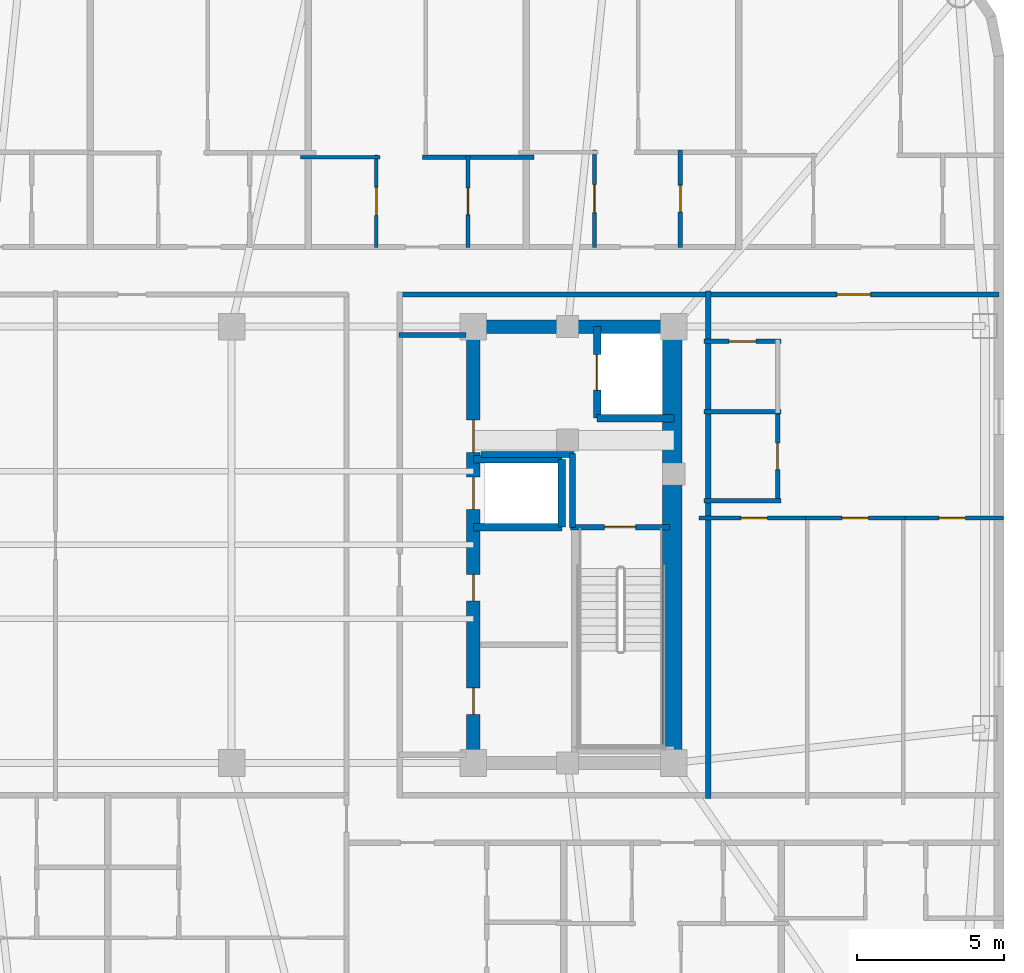
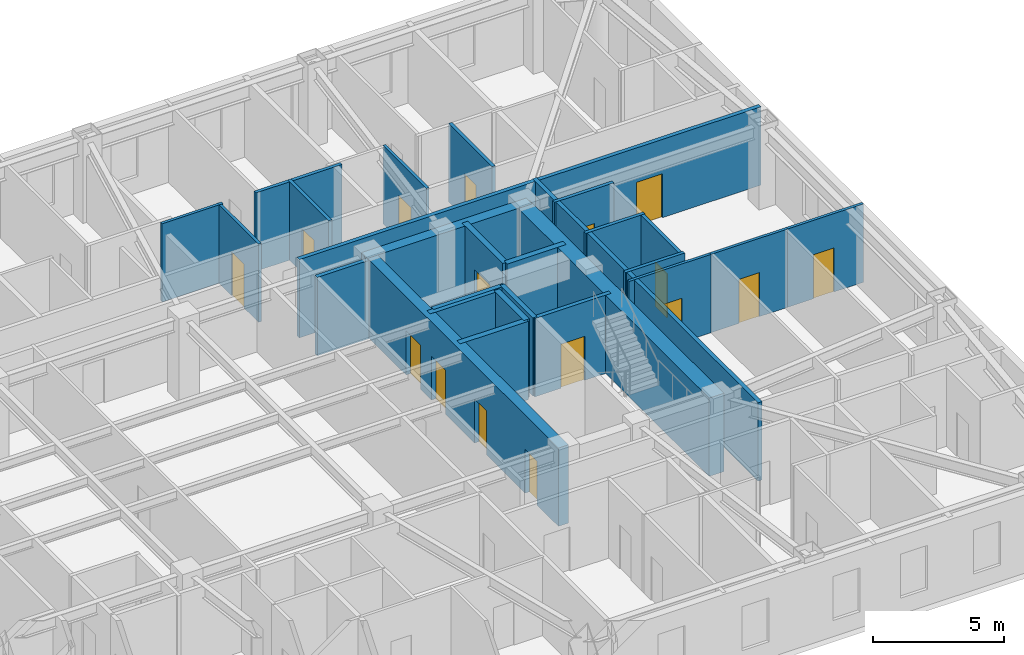
# One storey, part 7 of 11: 27 walls, 16 doors, 16 openings.
"""IFC4 building model written with IfcOpenShell, lengths in metres."""

from ifc_helpers import new_model, si_unit, direction, frame, frame_2d, origin, place, context, subcontext, project, spatial, rectangle, extrude, material, layer, layer_set, type_object, element, fill, save


model = new_model("IFC4")

# Units and contexts
model_context = context("Model", 3, precision=1e-05, world=origin(), true_north=direction((0.0, 1.0)))
body_context = subcontext(model_context, "Body", "Model", "MODEL_VIEW")
ifc_project = project(units=[si_unit("LENGTHUNIT", "METRE"), si_unit("AREAUNIT", "SQUARE_METRE"), si_unit("VOLUMEUNIT", "CUBIC_METRE"), si_unit("PLANEANGLEUNIT", "RADIAN"), si_unit("MASSUNIT", "GRAM", prefix="KILO")], contexts=[model_context])

# Site, building, storey
site_placement = place(None, origin())
site = spatial("IfcSite", under=ifc_project, at=site_placement, CompositionType="ELEMENT")
building_placement = place(site_placement, origin())
building = spatial("IfcBuilding", under=site, at=building_placement, Name="Voryun Gate Residences", CompositionType="ELEMENT")
storey_placement = place(building_placement, frame((0.0, 0.0, 235.300048828125)))
storey = spatial("IfcBuildingStorey", under=building, at=storey_placement, Name="L58", CompositionType="ELEMENT", Elevation=235.300048828125)

# Wall
ifc_material_1 = material(Name="Concrete C50/60", Category="concrete")
ifc_layer_1 = layer(ifc_material_1, 0.449951171875, Name="CW_CORE_450")
ifc_layer_set_1 = layer_set([ifc_layer_1], Name="Concrete C50/60")
wall_type_1 = type_object("IfcWallType", Name="CW_CORE_450", PredefinedType="SHEAR", material=ifc_layer_set_1)
wall_1_placement = place(storey_placement, frame((12.175048828125, 7.39990234375, 0.0), z_axis=(0.0, 0.0, 1.0), x_axis=(1.0, 0.0, 0.0)))
element("IfcWall", 1, at=wall_1_placement, inside=storey, type_object=wall_type_1, Name="L58 Core shear wall CW-L58-EN", PredefinedType="SHEAR", context=body_context, shape_type="SweptSolid", body=[
    extrude(rectangle(XDim=7.25, YDim=0.449951171875, at=frame_2d((3.625, 0.0))), origin(), (0.0, 0.0, 1.0), 3.64990234375),
])

# Wall, openings, doors
wall_2_placement = place(storey_placement, frame((12.39990234375, -7.39990234375, 0.0), z_axis=(0.0, 0.0, 1.0), x_axis=(0.0, 1.0, 0.0)))
wall_2 = element("IfcWall", 2, at=wall_2_placement, inside=storey, type_object=wall_type_1, Name="L58 Core shear wall CW-L58-EW", PredefinedType="SHEAR", context=body_context, shape_type="SweptSolid", body=[
    extrude(rectangle(XDim=14.7998046875, YDim=0.449951171875, at=frame_2d((7.39990234375, 0.0))), origin(), (0.0, 0.0, 1.0), 3.64990234375),
])
opening_1_placement = place(wall_2_placement, frame((8.60009765625, 0.0, 0.0)))
opening_1 = element("IfcOpeningElement", 3, at=opening_1_placement, cuts=wall_2, Name="Opening LD2", PredefinedType="OPENING", context=body_context, shape_type="SweptSolid", body=[
    extrude(rectangle(XDim=1.10009765625, YDim=2.050048828125, at=frame_2d((0.550048828125, 1.02490234375))), frame((0.0, 0.235107421875, 0.0), z_axis=(0.0, -1.0, 0.0), x_axis=(1.0, 0.0, 0.0)), (0.0, 0.0, 1.0), 0.469970703125),
])
opening_2_placement = place(wall_2_placement, frame((10.530029296875, 0.0, 0.0)))
opening_2 = element("IfcOpeningElement", 4, at=opening_2_placement, cuts=wall_2, Name="Opening D-FD60-2", PredefinedType="OPENING", context=body_context, shape_type="SweptSolid", body=[
    extrude(rectangle(XDim=1.10009765625, YDim=2.050048828125, at=frame_2d((0.550048828125, 1.02490234375))), frame((0.0, 0.235107421875, 0.0), z_axis=(0.0, -1.0, 0.0), x_axis=(1.0, 0.0, 0.0)), (0.0, 0.0, 1.0), 0.469970703125),
])
opening_3_placement = place(wall_2_placement, frame((1.64990234375, 0.0, 0.0)))
opening_3 = element("IfcOpeningElement", 5, at=opening_3_placement, cuts=wall_2, Name="Opening D-FD60-4", PredefinedType="OPENING", context=body_context, shape_type="SweptSolid", body=[
    extrude(rectangle(XDim=0.89990234375, YDim=2.050048828125, at=frame_2d((0.449951171875, 1.02490234375))), frame((0.0, 0.235107421875, 0.0), z_axis=(0.0, -1.0, 0.0), x_axis=(1.0, 0.0, 0.0)), (0.0, 0.0, 1.0), 0.469970703125),
])
opening_4_placement = place(wall_2_placement, frame((5.5, 0.0, 0.0)))
opening_4 = element("IfcOpeningElement", 6, at=opening_4_placement, cuts=wall_2, Name="Opening D-FD60-4", PredefinedType="OPENING", context=body_context, shape_type="SweptSolid", body=[
    extrude(rectangle(XDim=0.89990234375, YDim=2.050048828125, at=frame_2d((0.449951171875, 1.02490234375))), frame((0.0, 0.235107421875, 0.0), z_axis=(0.0, -1.0, 0.0), x_axis=(1.0, 0.0, 0.0)), (0.0, 0.0, 1.0), 0.469970703125),
])
ifc_material_2 = material(Name="Painted steel fire door", Category="steel")
door_type_1 = type_object("IfcDoorType", Name="DR_FD60_FFLOB_1100", OperationType="NOTDEFINED", PredefinedType="DOOR", material=ifc_material_2)
door_1_placement = place(opening_2_placement, origin())
door_1 = element("IfcDoor", 7, at=door_1_placement, inside=storey, type_object=door_type_1, Name="Door DR-L58-CLOB-E", OperationType="SINGLE_SWING_RIGHT", OverallHeight=2.050048828125, OverallWidth=1.10009765625, PredefinedType="DOOR", context=body_context, shape_type="SweptSolid", body=[
    extrude(rectangle(XDim=1.10009765625, YDim=2.050048828125, at=frame_2d((0.550048828125, 1.02490234375))), frame((0.0, 0.02490234375, 0.0), z_axis=(0.0, -1.0, 0.0), x_axis=(1.0, 0.0, 0.0)), (0.0, 0.0, 1.0), 0.050048828125),
])
fill(opening_2, door_1)
ifc_material_3 = material(Name="Painted steel fire door", Category="steel")
door_type_2 = type_object("IfcDoorType", Name="DR_FD60_RISER_900", OperationType="NOTDEFINED", PredefinedType="DOOR", material=ifc_material_3)
door_2_placement = place(opening_3_placement, origin())
door_2 = element("IfcDoor", 8, at=door_2_placement, inside=storey, type_object=door_type_2, Name="Door DR-L58-RECE-HIS", OperationType="SINGLE_SWING_RIGHT", OverallHeight=2.050048828125, OverallWidth=0.89990234375, PredefinedType="DOOR", context=body_context, shape_type="SweptSolid", body=[
    extrude(rectangle(XDim=0.89990234375, YDim=2.050048828125, at=frame_2d((0.449951171875, 1.02490234375))), frame((0.0, 0.02490234375, 0.0), z_axis=(0.0, -1.0, 0.0), x_axis=(1.0, 0.0, 0.0)), (0.0, 0.0, 1.0), 0.050048828125),
])
fill(opening_3, door_2)
door_3_placement = place(opening_4_placement, origin())
door_3 = element("IfcDoor", 9, at=door_3_placement, inside=storey, type_object=door_type_2, Name="Door DR-L58-RECE-HIN", OperationType="SINGLE_SWING_LEFT", OverallHeight=2.050048828125, OverallWidth=0.89990234375, PredefinedType="DOOR", context=body_context, shape_type="SweptSolid", body=[
    extrude(rectangle(XDim=0.89990234375, YDim=2.050048828125, at=frame_2d((0.449951171875, 1.02490234375))), frame((0.0, 0.02490234375, 0.0), z_axis=(0.0, -1.0, 0.0), x_axis=(1.0, 0.0, 0.0)), (0.0, 0.0, 1.0), 0.050048828125),
])
fill(opening_4, door_3)
ifc_material_4 = material(Name="Anodised aluminium", Category="aluminium")
door_type_3 = type_object("IfcDoorType", Name="DR_LD_PASS_1100", OperationType="NOTDEFINED", PredefinedType="DOOR", material=ifc_material_4)
door_4_placement = place(opening_1_placement, origin())
door_4 = element("IfcDoor", 10, at=door_4_placement, inside=storey, type_object=door_type_3, Name="Lift EL-P8 sliding landing door L58", OperationType="SLIDING_TO_LEFT", OverallHeight=2.050048828125, OverallWidth=1.10009765625, PredefinedType="DOOR", context=body_context, shape_type="SweptSolid", body=[
    extrude(rectangle(XDim=1.10009765625, YDim=2.050048828125, at=frame_2d((0.550048828125, 1.02490234375))), frame((0.0, 0.02490234375, 0.0), z_axis=(0.0, -1.0, 0.0), x_axis=(1.0, 0.0, 0.0)), (0.0, 0.0, 1.0), 0.050048828125),
])
fill(opening_1, door_4)

# Wall
ifc_material_5 = material(Name="Concrete C60/75", Category="concrete")
ifc_layer_2 = layer(ifc_material_5, 0.64990234375, Name="CW_CORE_650")
ifc_layer_set_2 = layer_set([ifc_layer_2], Name="Concrete C60/75")
wall_type_2 = type_object("IfcWallType", Name="CW_CORE_650", PredefinedType="SHEAR", material=ifc_layer_set_2)
wall_3_placement = place(storey_placement, frame((19.14501953125, -7.39990234375, 0.0), z_axis=(0.0, 0.0, 1.0), x_axis=(0.0, 1.0, 0.0)))
element("IfcWall", 11, at=wall_3_placement, inside=storey, type_object=wall_type_2, Name="L58 Core shear wall CW-L58-EE", PredefinedType="SHEAR", context=body_context, shape_type="SweptSolid", body=[
    extrude(rectangle(XDim=14.7998046875, YDim=0.64990234375, at=frame_2d((7.39990234375, 0.0))), origin(), (0.0, 0.0, 1.0), 3.64990234375),
])

# Wall, opening, door
ifc_material_6 = material(Name="Gypsum acoustic fireboard")
ifc_layer_3 = layer(ifc_material_6, 0.179931640625, Name="W_CORR_RATED_180")
ifc_layer_set_3 = layer_set([ifc_layer_3], Name="Gypsum acoustic fireboard")
wall_type_3 = type_object("IfcWallType", Name="W_CORR_RATED_180", PredefinedType="PARTITIONING", material=ifc_layer_set_3)
wall_4_placement = place(storey_placement, frame((15.699951171875, 0.60009765625, 0.0), z_axis=(0.0, 0.0, 1.0), x_axis=(1.0, 0.0, 0.0)))
wall_4 = element("IfcWall", 12, at=wall_4_placement, inside=storey, type_object=wall_type_3, Name="Partition wall WP-L58-STV-E", PredefinedType="PARTITIONING", context=body_context, shape_type="SweptSolid", body=[
    extrude(rectangle(XDim=3.360107421875, YDim=0.179931640625, at=frame_2d((1.68017578125, 0.0))), origin(), (0.0, 0.0, 1.0), 3.64990234375),
])
opening_5_placement = place(wall_4_placement, frame((1.155029296875, 0.0, 0.0)))
opening_5 = element("IfcOpeningElement", 13, at=opening_5_placement, cuts=wall_4, Name="Opening D-FD60-1", PredefinedType="OPENING", context=body_context, shape_type="SweptSolid", body=[
    extrude(rectangle(XDim=1.050048828125, YDim=2.050048828125, at=frame_2d((0.52490234375, 1.02490234375))), frame((0.0, 0.099853515625, 0.0), z_axis=(0.0, -1.0, 0.0), x_axis=(1.0, 0.0, 0.0)), (0.0, 0.0, 1.0), 0.199951171875),
])
ifc_material_7 = material(Name="Painted steel fire door", Category="steel")
door_type_4 = type_object("IfcDoorType", Name="DR_FD60_STAIR_1050", OperationType="NOTDEFINED", PredefinedType="DOOR", material=ifc_material_7)
door_5_placement = place(opening_5_placement, origin())
door_5 = element("IfcDoor", 14, at=door_5_placement, inside=storey, type_object=door_type_4, Name="Door DR-L58-ST-E", OperationType="SINGLE_SWING_RIGHT", OverallHeight=2.050048828125, OverallWidth=1.050048828125, PredefinedType="DOOR", context=body_context, shape_type="SweptSolid", body=[
    extrude(rectangle(XDim=1.050048828125, YDim=2.050048828125, at=frame_2d((0.52490234375, 1.02490234375))), frame((0.0, 0.02490234375, 0.0), z_axis=(0.0, -1.0, 0.0), x_axis=(1.0, 0.0, 0.0)), (0.0, 0.0, 1.0), 0.050048828125),
])
fill(opening_5, door_5)

# Wall
wall_5_placement = place(storey_placement, frame((9.8798828125, 7.1201171875, 0.0), z_axis=(0.0, 0.0, 1.0), x_axis=(1.0, 0.0, 0.0)))
element("IfcWall", 15, at=wall_5_placement, inside=storey, type_object=wall_type_3, Name="Partition wall WP-L58-PLBN-E", PredefinedType="PARTITIONING", context=body_context, shape_type="SweptSolid", body=[
    extrude(rectangle(XDim=2.27001953125, YDim=0.179931640625, at=frame_2d((1.135009765625, 0.0))), origin(), (0.0, 0.0, 1.0), 3.64990234375),
])

# Wall, opening, door
wall_6_placement = place(storey_placement, frame((9.8798828125, 8.489990234375, 0.0), z_axis=(0.0, 0.0, 1.0), x_axis=(1.0, 0.0, 0.0)))
wall_6 = element("IfcWall", 16, at=wall_6_placement, inside=storey, type_object=wall_type_3, Name="Partition wall WP-L58-CWING-EN", PredefinedType="PARTITIONING", context=body_context, shape_type="SweptSolid", body=[
    extrude(rectangle(XDim=20.35009765625, YDim=0.179931640625, at=frame_2d((10.175048828125, 0.0))), origin(), (0.0, 0.0, 1.0), 3.64990234375),
])
opening_6_placement = place(wall_6_placement, frame((14.850341796875, 0.0, 0.0)))
opening_6 = element("IfcOpeningElement", 17, at=opening_6_placement, cuts=wall_6, Name="Opening D-UNIT-1", PredefinedType="OPENING", context=body_context, shape_type="SweptSolid", body=[
    extrude(rectangle(XDim=1.14990234375, YDim=2.050048828125, at=frame_2d((0.574951171875, 1.02490234375))), frame((0.0, 0.099853515625, 0.0), z_axis=(0.0, -1.0, 0.0), x_axis=(1.0, 0.0, 0.0)), (0.0, 0.0, 1.0), 0.199951171875),
])
ifc_material_8 = material(Name="Armoured timber-clad fire door", Category="wood")
door_type_5 = type_object("IfcDoorType", Name="DR_UNIT_ENTRY_1150", OperationType="NOTDEFINED", PredefinedType="DOOR", material=ifc_material_8)
door_6_placement = place(opening_6_placement, origin())
door_6 = element("IfcDoor", 18, at=door_6_placement, inside=storey, type_object=door_type_5, Name="Door DR-L58-EE1N", OperationType="SINGLE_SWING_LEFT", OverallHeight=2.050048828125, OverallWidth=1.14990234375, PredefinedType="DOOR", context=body_context, shape_type="SweptSolid", body=[
    extrude(rectangle(XDim=1.14990234375, YDim=2.050048828125, at=frame_2d((0.574951171875, 1.02490234375))), frame((0.0, 0.02490234375, 0.0), z_axis=(0.0, -1.0, 0.0), x_axis=(1.0, 0.0, 0.0)), (0.0, 0.0, 1.0), 0.050048828125),
])
fill(opening_6, door_6)

# Walls
wall_7_placement = place(storey_placement, frame((20.3701171875, -8.610107421875, 0.0), z_axis=(0.0, 0.0, 1.0), x_axis=(0.0, 1.0, 0.0)))
element("IfcWall", 19, at=wall_7_placement, inside=storey, type_object=wall_type_3, Name="Partition wall WP-L58-ECOR", PredefinedType="PARTITIONING", context=body_context, shape_type="SweptSolid", body=[
    extrude(rectangle(XDim=17.22021484375, YDim=0.179931640625, at=frame_2d((8.610107421875, 0.0))), origin(), (0.0, 0.0, 1.0), 3.64990234375),
])
ifc_material_9 = material(Name="Concrete C40/50", Category="concrete")
ifc_layer_4 = layer(ifc_material_9, 0.199951171875, Name="W_FF_LOBBY_200")
ifc_layer_set_4 = layer_set([ifc_layer_4], Name="Concrete C40/50")
wall_type_4 = type_object("IfcWallType", Name="W_FF_LOBBY_200", PredefinedType="PARTITIONING", material=ifc_layer_set_4)
wall_8_placement = place(storey_placement, frame((15.760009765625, 0.580078125, 0.0), z_axis=(0.0, 0.0, 1.0), x_axis=(0.0, 1.0, 0.0)))
element("IfcWall", 20, at=wall_8_placement, inside=storey, type_object=wall_type_4, Name="Partition wall WP-L58-FFP0-E", PredefinedType="PARTITIONING", context=body_context, shape_type="SweptSolid", body=[
    extrude(rectangle(XDim=2.52001953125, YDim=0.199951171875, at=frame_2d((1.260009765625, 0.0))), origin(), (0.0, 0.0, 1.0), 3.64990234375),
])
wall_9_placement = place(storey_placement, frame((12.659912109375, 3.06005859375, 0.0), z_axis=(0.0, 0.0, 1.0), x_axis=(1.0, 0.0, 0.0)))
element("IfcWall", 21, at=wall_9_placement, inside=storey, type_object=wall_type_4, Name="Partition wall WP-L58-FFPS-E", PredefinedType="PARTITIONING", context=body_context, shape_type="SweptSolid", body=[
    extrude(rectangle(XDim=3.16015625, YDim=0.199951171875, at=frame_2d((1.580078125, 0.0))), origin(), (0.0, 0.0, 1.0), 3.64990234375),
])
ifc_material_10 = material(Name="Concrete C50/60", Category="concrete")
ifc_layer_5 = layer(ifc_material_10, 0.25, Name="W_SHAFT_RC250")
ifc_layer_set_5 = layer_set([ifc_layer_5], Name="Concrete C50/60")
wall_type_5 = type_object("IfcWallType", Name="W_SHAFT_RC250", PredefinedType="SOLIDWALL", material=ifc_layer_set_5)
wall_10_placement = place(storey_placement, frame((16.60009765625, 4.300048828125, 0.0), z_axis=(0.0, 0.0, 1.0), x_axis=(1.0, 0.0, 0.0)))
element("IfcWall", 22, at=wall_10_placement, inside=storey, type_object=wall_type_5, Name="Lift shaft wall WSH-L58-EL-FF-E1-S", PredefinedType="SOLIDWALL", context=body_context, shape_type="SweptSolid", body=[
    extrude(rectangle(XDim=2.599853515625, YDim=0.25, at=frame_2d((1.2998046875, 0.0))), origin(), (0.0, 0.0, 1.0), 3.64990234375),
])

# Wall, opening, door
wall_11_placement = place(storey_placement, frame((16.60009765625, 7.39990234375, 0.0), z_axis=(0.0, 0.0, 1.0), x_axis=(0.0, -1.0, 0.0)))
wall_11 = element("IfcWall", 23, at=wall_11_placement, inside=storey, type_object=wall_type_5, Name="Lift shaft wall WSH-L58-EL-FF-E1-W", PredefinedType="SOLIDWALL", context=body_context, shape_type="SweptSolid", body=[
    extrude(rectangle(XDim=3.099853515625, YDim=0.25, at=frame_2d((1.5498046875, 0.0))), origin(), (0.0, 0.0, 1.0), 3.64990234375),
])
opening_7_placement = place(wall_11_placement, frame((0.949951171875, 0.0, 0.0)))
opening_7 = element("IfcOpeningElement", 24, at=opening_7_placement, cuts=wall_11, Name="Opening LD1", PredefinedType="OPENING", context=body_context, shape_type="SweptSolid", body=[
    extrude(rectangle(XDim=1.199951171875, YDim=2.050048828125, at=frame_2d((0.60009765625, 1.02490234375))), frame((0.0, 0.135009765625, 0.0), z_axis=(0.0, -1.0, 0.0), x_axis=(1.0, 0.0, 0.0)), (0.0, 0.0, 1.0), 0.27001953125),
])
ifc_material_11 = material(Name="Anodised aluminium", Category="aluminium")
door_type_6 = type_object("IfcDoorType", Name="DR_LD_FF_1200", OperationType="NOTDEFINED", PredefinedType="DOOR", material=ifc_material_11)
door_7_placement = place(opening_7_placement, origin())
door_7 = element("IfcDoor", 25, at=door_7_placement, inside=storey, type_object=door_type_6, Name="Lift EL-FF-E1 sliding landing door L58", OperationType="SLIDING_TO_LEFT", OverallHeight=2.050048828125, OverallWidth=1.199951171875, PredefinedType="DOOR", context=body_context, shape_type="SweptSolid", body=[
    extrude(rectangle(XDim=1.199951171875, YDim=2.050048828125, at=frame_2d((0.60009765625, 1.02490234375))), frame((0.0, 0.02490234375, 0.0), z_axis=(0.0, -1.0, 0.0), x_axis=(1.0, 0.0, 0.0)), (0.0, 0.0, 1.0), 0.050048828125),
])
fill(opening_7, door_7)

# Walls
wall_12_placement = place(storey_placement, frame((12.39990234375, 0.60009765625, 0.0), z_axis=(0.0, 0.0, 1.0), x_axis=(1.0, 0.0, 0.0)))
element("IfcWall", 26, at=wall_12_placement, inside=storey, type_object=wall_type_5, Name="Lift shaft wall WSH-L58-EL-P8-S", PredefinedType="SOLIDWALL", context=body_context, shape_type="SweptSolid", body=[
    extrude(rectangle(XDim=3.0, YDim=0.25, at=frame_2d((1.5, 0.0))), origin(), (0.0, 0.0, 1.0), 3.64990234375),
])
wall_13_placement = place(storey_placement, frame((15.39990234375, 0.60009765625, 0.0), z_axis=(0.0, 0.0, 1.0), x_axis=(0.0, 1.0, 0.0)))
element("IfcWall", 27, at=wall_13_placement, inside=storey, type_object=wall_type_5, Name="Lift shaft wall WSH-L58-EL-P8-E", PredefinedType="SOLIDWALL", context=body_context, shape_type="SweptSolid", body=[
    extrude(rectangle(XDim=2.2998046875, YDim=0.25, at=frame_2d((1.14990234375, 0.0))), origin(), (0.0, 0.0, 1.0), 3.64990234375),
])
wall_14_placement = place(storey_placement, frame((15.39990234375, 2.89990234375, 0.0), z_axis=(0.0, 0.0, 1.0), x_axis=(-1.0, 0.0, 0.0)))
element("IfcWall", 28, at=wall_14_placement, inside=storey, type_object=wall_type_5, Name="Lift shaft wall WSH-L58-EL-P8-N", PredefinedType="SOLIDWALL", context=body_context, shape_type="SweptSolid", body=[
    extrude(rectangle(XDim=3.0, YDim=0.25, at=frame_2d((1.5, 0.0))), origin(), (0.0, 0.0, 1.0), 3.64990234375),
])

# Wall, opening, door
ifc_material_12 = material(Name="Gypsum acoustic partition")
ifc_layer_6 = layer(ifc_material_12, 0.125, Name="W_UNIT_PART_125")
ifc_layer_set_6 = layer_set([ifc_layer_6], Name="Gypsum acoustic partition")
wall_type_6 = type_object("IfcWallType", Name="W_UNIT_PART_125", PredefinedType="PARTITIONING", material=ifc_layer_set_6)
wall_15_placement = place(storey_placement, frame((9.110107421875, 10.080078125, 0.0), z_axis=(0.0, 0.0, 1.0), x_axis=(0.0, 1.0, 0.0)))
wall_15 = element("IfcWall", 29, at=wall_15_placement, inside=storey, type_object=wall_type_6, Name="Partition wall WP-L58-N5-IVK", PredefinedType="PARTITIONING", context=body_context, shape_type="SweptSolid", body=[
    extrude(rectangle(XDim=3.14501953125, YDim=0.125, at=frame_2d((1.572509765625, 0.0))), origin(), (0.0, 0.0, 1.0), 3.64990234375),
])
opening_8_placement = place(wall_15_placement, frame((1.097412109375, 0.0, 0.0)))
opening_8 = element("IfcOpeningElement", 30, at=opening_8_placement, cuts=wall_15, Name="Opening D-INT-1", PredefinedType="OPENING", context=body_context, shape_type="SweptSolid", body=[
    extrude(rectangle(XDim=0.949951171875, YDim=2.050048828125, at=frame_2d((0.47509765625, 1.02490234375))), frame((0.0, 0.072509765625, 0.0), z_axis=(0.0, -1.0, 0.0), x_axis=(1.0, 0.0, 0.0)), (0.0, 0.0, 1.0), 0.14501953125),
])
ifc_material_13 = material(Name="Architectural oak veneer")
door_type_7 = type_object("IfcDoorType", Name="DR_INT_ROOM_950", OperationType="NOTDEFINED", PredefinedType="DOOR", material=ifc_material_13)
door_8_placement = place(opening_8_placement, origin())
door_8 = element("IfcDoor", 31, at=door_8_placement, inside=storey, type_object=door_type_7, Name="Door DR-L58-N5-DK", OperationType="SINGLE_SWING_LEFT", OverallHeight=2.050048828125, OverallWidth=0.949951171875, PredefinedType="DOOR", context=body_context, shape_type="SweptSolid", body=[
    extrude(rectangle(XDim=0.949951171875, YDim=2.050048828125, at=frame_2d((0.47509765625, 1.02490234375))), frame((0.0, 0.02490234375, 0.0), z_axis=(0.0, -1.0, 0.0), x_axis=(1.0, 0.0, 0.0)), (0.0, 0.0, 1.0), 0.050048828125),
])
fill(opening_8, door_8)

# Wall
wall_16_placement = place(storey_placement, frame((6.5400390625, 13.14501953125, 0.0), z_axis=(0.0, 0.0, 1.0), x_axis=(1.0, 0.0, 0.0)))
element("IfcWall", 32, at=wall_16_placement, inside=storey, type_object=wall_type_6, Name="Partition wall WP-L58-N5-HZK", PredefinedType="PARTITIONING", context=body_context, shape_type="SweptSolid", body=[
    extrude(rectangle(XDim=2.68994140625, YDim=0.125, at=frame_2d((1.344970703125, 0.0))), origin(), (0.0, 0.0, 1.0), 3.64990234375),
])

# Wall, opening, door
wall_17_placement = place(storey_placement, frame((16.510009765625, 10.080078125, 0.0), z_axis=(0.0, 0.0, 1.0), x_axis=(0.0, 1.0, 0.0)))
wall_17 = element("IfcWall", 33, at=wall_17_placement, inside=storey, type_object=wall_type_6, Name="Partition wall WP-L58-N6-IVK", PredefinedType="PARTITIONING", context=body_context, shape_type="SweptSolid", body=[
    extrude(rectangle(XDim=3.31982421875, YDim=0.125, at=frame_2d((1.659912109375, 0.0))), origin(), (0.0, 0.0, 1.0), 3.64990234375),
])
opening_9_placement = place(wall_17_placement, frame((1.18505859375, 0.0, 0.0)))
opening_9 = element("IfcOpeningElement", 34, at=opening_9_placement, cuts=wall_17, Name="Opening D-INT-1", PredefinedType="OPENING", context=body_context, shape_type="SweptSolid", body=[
    extrude(rectangle(XDim=0.949951171875, YDim=2.050048828125, at=frame_2d((0.47509765625, 1.02490234375))), frame((0.0, 0.072509765625, 0.0), z_axis=(0.0, -1.0, 0.0), x_axis=(1.0, 0.0, 0.0)), (0.0, 0.0, 1.0), 0.14501953125),
])
door_9_placement = place(opening_9_placement, origin())
door_9 = element("IfcDoor", 35, at=door_9_placement, inside=storey, type_object=door_type_7, Name="Door DR-L58-N6-DK", OperationType="SINGLE_SWING_LEFT", OverallHeight=2.050048828125, OverallWidth=0.949951171875, PredefinedType="DOOR", context=body_context, shape_type="SweptSolid", body=[
    extrude(rectangle(XDim=0.949951171875, YDim=2.050048828125, at=frame_2d((0.47509765625, 1.02490234375))), frame((0.0, 0.02490234375, 0.0), z_axis=(0.0, -1.0, 0.0), x_axis=(1.0, 0.0, 0.0)), (0.0, 0.0, 1.0), 0.050048828125),
])
fill(opening_9, door_9)

wall_18_placement = place(storey_placement, frame((20.050048828125, 0.909912109375, 0.0), z_axis=(0.0, 0.0, 1.0), x_axis=(1.0, 0.0, 0.0)))
wall_18 = element("IfcWall", 36, at=wall_18_placement, inside=storey, type_object=wall_type_6, Name="Partition wall WP-L58-E1-HZMB1", PredefinedType="PARTITIONING", context=body_context, shape_type="SweptSolid", body=[
    extrude(rectangle(XDim=3.737548828125, YDim=0.125, at=frame_2d((1.86865234375, 0.0))), origin(), (0.0, 0.0, 1.0), 3.64990234375),
])
opening_10_placement = place(wall_18_placement, frame((1.427490234375, 0.0, 0.0)))
opening_10 = element("IfcOpeningElement", 37, at=opening_10_placement, cuts=wall_18, Name="Opening D-INT-2", PredefinedType="OPENING", context=body_context, shape_type="SweptSolid", body=[
    extrude(rectangle(XDim=0.89990234375, YDim=2.050048828125, at=frame_2d((0.449951171875, 1.02490234375))), frame((0.0, 0.072509765625, 0.0), z_axis=(0.0, -1.0, 0.0), x_axis=(1.0, 0.0, 0.0)), (0.0, 0.0, 1.0), 0.14501953125),
])
ifc_material_14 = material(Name="Architectural oak veneer")
door_type_8 = type_object("IfcDoorType", Name="DR_INT_BATH_900", OperationType="NOTDEFINED", PredefinedType="DOOR", material=ifc_material_14)
door_10_placement = place(opening_10_placement, origin())
door_10 = element("IfcDoor", 38, at=door_10_placement, inside=storey, type_object=door_type_8, Name="Door DR-L58-E1-DMB", OperationType="SINGLE_SWING_LEFT", OverallHeight=2.050048828125, OverallWidth=0.89990234375, PredefinedType="DOOR", context=body_context, shape_type="SweptSolid", body=[
    extrude(rectangle(XDim=0.89990234375, YDim=2.050048828125, at=frame_2d((0.449951171875, 1.02490234375))), frame((0.0, 0.02490234375, 0.0), z_axis=(0.0, -1.0, 0.0), x_axis=(1.0, 0.0, 0.0)), (0.0, 0.0, 1.0), 0.050048828125),
])
fill(opening_10, door_10)

wall_19_placement = place(storey_placement, frame((23.66259765625, 0.909912109375, 0.0), z_axis=(0.0, 0.0, 1.0), x_axis=(1.0, 0.0, 0.0)))
wall_19 = element("IfcWall", 39, at=wall_19_placement, inside=storey, type_object=wall_type_6, Name="Partition wall WP-L58-E1-HZMB2", PredefinedType="PARTITIONING", context=body_context, shape_type="SweptSolid", body=[
    extrude(rectangle(XDim=3.380859375, YDim=0.125, at=frame_2d((1.6904296875, 0.0))), origin(), (0.0, 0.0, 1.0), 3.64990234375),
])
opening_11_placement = place(wall_19_placement, frame((1.240478515625, 0.0, 0.0)))
opening_11 = element("IfcOpeningElement", 40, at=opening_11_placement, cuts=wall_19, Name="Opening D-INT-2", PredefinedType="OPENING", context=body_context, shape_type="SweptSolid", body=[
    extrude(rectangle(XDim=0.89990234375, YDim=2.050048828125, at=frame_2d((0.449951171875, 1.02490234375))), frame((0.0, 0.072509765625, 0.0), z_axis=(0.0, -1.0, 0.0), x_axis=(1.0, 0.0, 0.0)), (0.0, 0.0, 1.0), 0.14501953125),
])
door_11_placement = place(opening_11_placement, origin())
door_11 = element("IfcDoor", 41, at=door_11_placement, inside=storey, type_object=door_type_8, Name="Door DR-L58-E1-DBD2", OperationType="SINGLE_SWING_RIGHT", OverallHeight=2.050048828125, OverallWidth=0.89990234375, PredefinedType="DOOR", context=body_context, shape_type="SweptSolid", body=[
    extrude(rectangle(XDim=0.89990234375, YDim=2.050048828125, at=frame_2d((0.449951171875, 1.02490234375))), frame((0.0, 0.02490234375, 0.0), z_axis=(0.0, -1.0, 0.0), x_axis=(1.0, 0.0, 0.0)), (0.0, 0.0, 1.0), 0.050048828125),
])
fill(opening_11, door_11)

wall_20_placement = place(storey_placement, frame((26.91845703125, 0.909912109375, 0.0), z_axis=(0.0, 0.0, 1.0), x_axis=(1.0, 0.0, 0.0)))
wall_20 = element("IfcWall", 42, at=wall_20_placement, inside=storey, type_object=wall_type_6, Name="Partition wall WP-L58-E1-HZMB3", PredefinedType="PARTITIONING", context=body_context, shape_type="SweptSolid", body=[
    extrude(rectangle(XDim=3.46142578125, YDim=0.125, at=frame_2d((1.730712890625, 0.0))), origin(), (0.0, 0.0, 1.0), 3.64990234375),
])
opening_12_placement = place(wall_20_placement, frame((1.27197265625, 0.0, 0.0)))
opening_12 = element("IfcOpeningElement", 43, at=opening_12_placement, cuts=wall_20, Name="Opening D-INT-2", PredefinedType="OPENING", context=body_context, shape_type="SweptSolid", body=[
    extrude(rectangle(XDim=0.89990234375, YDim=2.050048828125, at=frame_2d((0.449951171875, 1.02490234375))), frame((0.0, 0.072509765625, 0.0), z_axis=(0.0, -1.0, 0.0), x_axis=(1.0, 0.0, 0.0)), (0.0, 0.0, 1.0), 0.14501953125),
])
door_12_placement = place(opening_12_placement, origin())
door_12 = element("IfcDoor", 44, at=door_12_placement, inside=storey, type_object=door_type_8, Name="Door DR-L58-E1-DBD3", OperationType="SINGLE_SWING_LEFT", OverallHeight=2.050048828125, OverallWidth=0.89990234375, PredefinedType="DOOR", context=body_context, shape_type="SweptSolid", body=[
    extrude(rectangle(XDim=0.89990234375, YDim=2.050048828125, at=frame_2d((0.449951171875, 1.02490234375))), frame((0.0, 0.02490234375, 0.0), z_axis=(0.0, -1.0, 0.0), x_axis=(1.0, 0.0, 0.0)), (0.0, 0.0, 1.0), 0.050048828125),
])
fill(opening_12, door_12)

# Wall
ifc_material_15 = material(Name="Gypsum moisture-resistant partition")
ifc_layer_7 = layer(ifc_material_15, 0.14990234375, Name="W_WET_PLUMB_150")
ifc_layer_set_7 = layer_set([ifc_layer_7], Name="Gypsum moisture-resistant partition")
wall_type_7 = type_object("IfcWallType", Name="W_WET_PLUMB_150", PredefinedType="PLUMBINGWALL", material=ifc_layer_set_7)
wall_21_placement = place(storey_placement, frame((10.669921875, 13.14501953125, 0.0), z_axis=(0.0, 0.0, 1.0), x_axis=(1.0, 0.0, 0.0)))
element("IfcWall", 45, at=wall_21_placement, inside=storey, type_object=wall_type_7, Name="Partition wall WP-L58-N5-HZB", PredefinedType="PLUMBINGWALL", context=body_context, shape_type="SweptSolid", body=[
    extrude(rectangle(XDim=3.7900390625, YDim=0.14990234375, at=frame_2d((1.89501953125, 0.0))), origin(), (0.0, 0.0, 1.0), 3.64990234375),
])

# Wall, opening, door
wall_22_placement = place(storey_placement, frame((12.219970703125, 10.080078125, 0.0), z_axis=(0.0, 0.0, 1.0), x_axis=(0.0, 1.0, 0.0)))
wall_22 = element("IfcWall", 46, at=wall_22_placement, inside=storey, type_object=wall_type_7, Name="Partition wall WP-L58-N5-IVB", PredefinedType="PLUMBINGWALL", context=body_context, shape_type="SweptSolid", body=[
    extrude(rectangle(XDim=3.14501953125, YDim=0.14990234375, at=frame_2d((1.572509765625, 0.0))), origin(), (0.0, 0.0, 1.0), 3.64990234375),
])
opening_13_placement = place(wall_22_placement, frame((1.12255859375, 0.0, 0.0)))
opening_13 = element("IfcOpeningElement", 47, at=opening_13_placement, cuts=wall_22, Name="Opening D-INT-2", PredefinedType="OPENING", context=body_context, shape_type="SweptSolid", body=[
    extrude(rectangle(XDim=0.89990234375, YDim=2.050048828125, at=frame_2d((0.449951171875, 1.02490234375))), frame((0.0, 0.0849609375, 0.0), z_axis=(0.0, -1.0, 0.0), x_axis=(1.0, 0.0, 0.0)), (0.0, 0.0, 1.0), 0.169921875),
])
door_13_placement = place(opening_13_placement, origin())
door_13 = element("IfcDoor", 48, at=door_13_placement, inside=storey, type_object=door_type_8, Name="Door DR-L58-N5-DB", OperationType="SINGLE_SWING_RIGHT", OverallHeight=2.050048828125, OverallWidth=0.89990234375, PredefinedType="DOOR", context=body_context, shape_type="SweptSolid", body=[
    extrude(rectangle(XDim=0.89990234375, YDim=2.050048828125, at=frame_2d((0.449951171875, 1.02490234375))), frame((0.0, 0.02490234375, 0.0), z_axis=(0.0, -1.0, 0.0), x_axis=(1.0, 0.0, 0.0)), (0.0, 0.0, 1.0), 0.050048828125),
])
fill(opening_13, door_13)

wall_23_placement = place(storey_placement, frame((19.419921875, 10.080078125, 0.0), z_axis=(0.0, 0.0, 1.0), x_axis=(0.0, 1.0, 0.0)))
wall_23 = element("IfcWall", 49, at=wall_23_placement, inside=storey, type_object=wall_type_7, Name="Partition wall WP-L58-N6-IVB", PredefinedType="PLUMBINGWALL", context=body_context, shape_type="SweptSolid", body=[
    extrude(rectangle(XDim=3.31982421875, YDim=0.14990234375, at=frame_2d((1.659912109375, 0.0))), origin(), (0.0, 0.0, 1.0), 3.64990234375),
])
opening_14_placement = place(wall_23_placement, frame((1.2099609375, 0.0, 0.0)))
opening_14 = element("IfcOpeningElement", 50, at=opening_14_placement, cuts=wall_23, Name="Opening D-INT-2", PredefinedType="OPENING", context=body_context, shape_type="SweptSolid", body=[
    extrude(rectangle(XDim=0.89990234375, YDim=2.050048828125, at=frame_2d((0.449951171875, 1.02490234375))), frame((0.0, 0.0849609375, 0.0), z_axis=(0.0, -1.0, 0.0), x_axis=(1.0, 0.0, 0.0)), (0.0, 0.0, 1.0), 0.169921875),
])
door_14_placement = place(opening_14_placement, origin())
door_14 = element("IfcDoor", 51, at=door_14_placement, inside=storey, type_object=door_type_8, Name="Door DR-L58-N6-DB", OperationType="SINGLE_SWING_RIGHT", OverallHeight=2.050048828125, OverallWidth=0.89990234375, PredefinedType="DOOR", context=body_context, shape_type="SweptSolid", body=[
    extrude(rectangle(XDim=0.89990234375, YDim=2.050048828125, at=frame_2d((0.449951171875, 1.02490234375))), frame((0.0, 0.02490234375, 0.0), z_axis=(0.0, -1.0, 0.0), x_axis=(1.0, 0.0, 0.0)), (0.0, 0.0, 1.0), 0.050048828125),
])
fill(opening_14, door_14)

wall_24_placement = place(storey_placement, frame((20.219970703125, 6.89990234375, 0.0), z_axis=(0.0, 0.0, 1.0), x_axis=(1.0, 0.0, 0.0)))
wall_24 = element("IfcWall", 52, at=wall_24_placement, inside=storey, type_object=wall_type_7, Name="Partition wall WP-L58-E1-IBT", PredefinedType="PLUMBINGWALL", context=body_context, shape_type="SweptSolid", body=[
    extrude(rectangle(XDim=2.6201171875, YDim=0.14990234375, at=frame_2d((1.31005859375, 0.0))), origin(), (0.0, 0.0, 1.0), 3.64990234375),
])
opening_15_placement = place(wall_24_placement, frame((0.860107421875, 0.0, 0.0)))
opening_15 = element("IfcOpeningElement", 53, at=opening_15_placement, cuts=wall_24, Name="Opening D-INT-2", PredefinedType="OPENING", context=body_context, shape_type="SweptSolid", body=[
    extrude(rectangle(XDim=0.89990234375, YDim=2.050048828125, at=frame_2d((0.449951171875, 1.02490234375))), frame((0.0, 0.0849609375, 0.0), z_axis=(0.0, -1.0, 0.0), x_axis=(1.0, 0.0, 0.0)), (0.0, 0.0, 1.0), 0.169921875),
])
door_15_placement = place(opening_15_placement, origin())
door_15 = element("IfcDoor", 54, at=door_15_placement, inside=storey, type_object=door_type_8, Name="Door DR-L58-E1-DK", OperationType="SINGLE_SWING_LEFT", OverallHeight=2.050048828125, OverallWidth=0.89990234375, PredefinedType="DOOR", context=body_context, shape_type="SweptSolid", body=[
    extrude(rectangle(XDim=0.89990234375, YDim=2.050048828125, at=frame_2d((0.449951171875, 1.02490234375))), frame((0.0, 0.02490234375, 0.0), z_axis=(0.0, -1.0, 0.0), x_axis=(1.0, 0.0, 0.0)), (0.0, 0.0, 1.0), 0.050048828125),
])
fill(opening_15, door_15)

# Walls
for number, where, z_axis, x_axis, name in (
    (55, (20.219970703125, 4.52001953125, 0.0), (0.0, 0.0, 1.0), (1.0, 0.0, 0.0), "Partition wall WP-L58-E1-IKB"),
    (56, (20.219970703125, 1.5, 0.0), (0.0, 0.0, 1.0), (1.0, 0.0, 0.0), "Partition wall WP-L58-E1-IBB"),
):
    element("IfcWall", number, at=place(storey_placement, frame(where, z_axis=z_axis, x_axis=x_axis)), inside=storey, type_object=wall_type_7, Name=name, PredefinedType="PLUMBINGWALL", context=body_context, shape_type="SweptSolid", body=[
        extrude(rectangle(XDim=2.6201171875, YDim=0.14990234375, at=frame_2d((1.31005859375, 0.0))), origin(), (0.0, 0.0, 1.0), 3.64990234375),
    ])

# Wall, opening, door
wall_25_placement = place(storey_placement, frame((22.719970703125, 1.43994140625, 0.0), z_axis=(0.0, 0.0, 1.0), x_axis=(0.0, 1.0, 0.0)))
wall_25 = element("IfcWall", 57, at=wall_25_placement, inside=storey, type_object=wall_type_7, Name="Partition wall WP-L58-E1-VTSK1", PredefinedType="PLUMBINGWALL", context=body_context, shape_type="SweptSolid", body=[
    extrude(rectangle(XDim=3.1201171875, YDim=0.14990234375, at=frame_2d((1.56005859375, 0.0))), origin(), (0.0, 0.0, 1.0), 3.64990234375),
])
opening_16_placement = place(wall_25_placement, frame((1.110107421875, 0.0, 0.0)))
opening_16 = element("IfcOpeningElement", 58, at=opening_16_placement, cuts=wall_25, Name="Opening D-INT-2", PredefinedType="OPENING", context=body_context, shape_type="SweptSolid", body=[
    extrude(rectangle(XDim=0.89990234375, YDim=2.050048828125, at=frame_2d((0.449951171875, 1.02490234375))), frame((0.0, 0.0849609375, 0.0), z_axis=(0.0, -1.0, 0.0), x_axis=(1.0, 0.0, 0.0)), (0.0, 0.0, 1.0), 0.169921875),
])
door_16_placement = place(opening_16_placement, origin())
door_16 = element("IfcDoor", 59, at=door_16_placement, inside=storey, type_object=door_type_8, Name="Door DR-L58-E1-DB", OperationType="SINGLE_SWING_RIGHT", OverallHeight=2.050048828125, OverallWidth=0.89990234375, PredefinedType="DOOR", context=body_context, shape_type="SweptSolid", body=[
    extrude(rectangle(XDim=0.89990234375, YDim=2.050048828125, at=frame_2d((0.449951171875, 1.02490234375))), frame((0.0, 0.02490234375, 0.0), z_axis=(0.0, -1.0, 0.0), x_axis=(1.0, 0.0, 0.0)), (0.0, 0.0, 1.0), 0.050048828125),
])
fill(opening_16, door_16)

save(model, "model.ifc")
